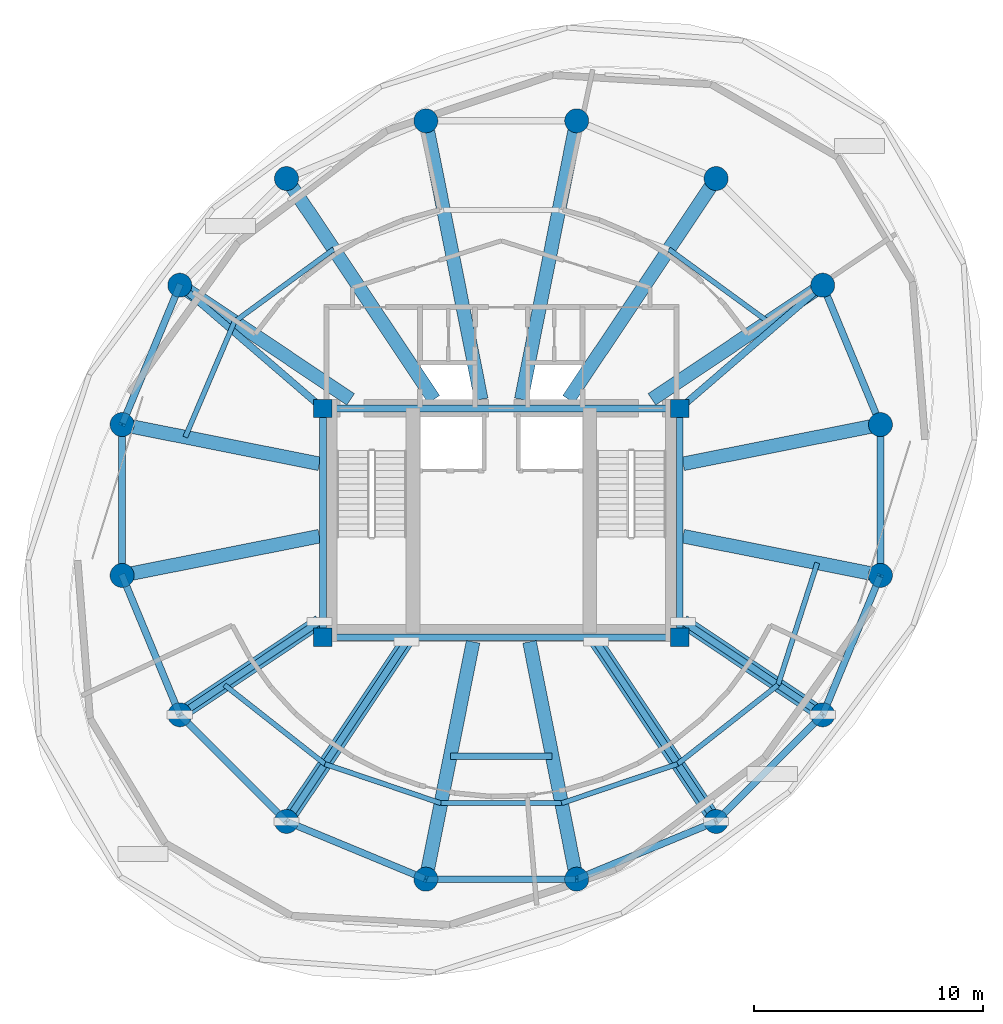
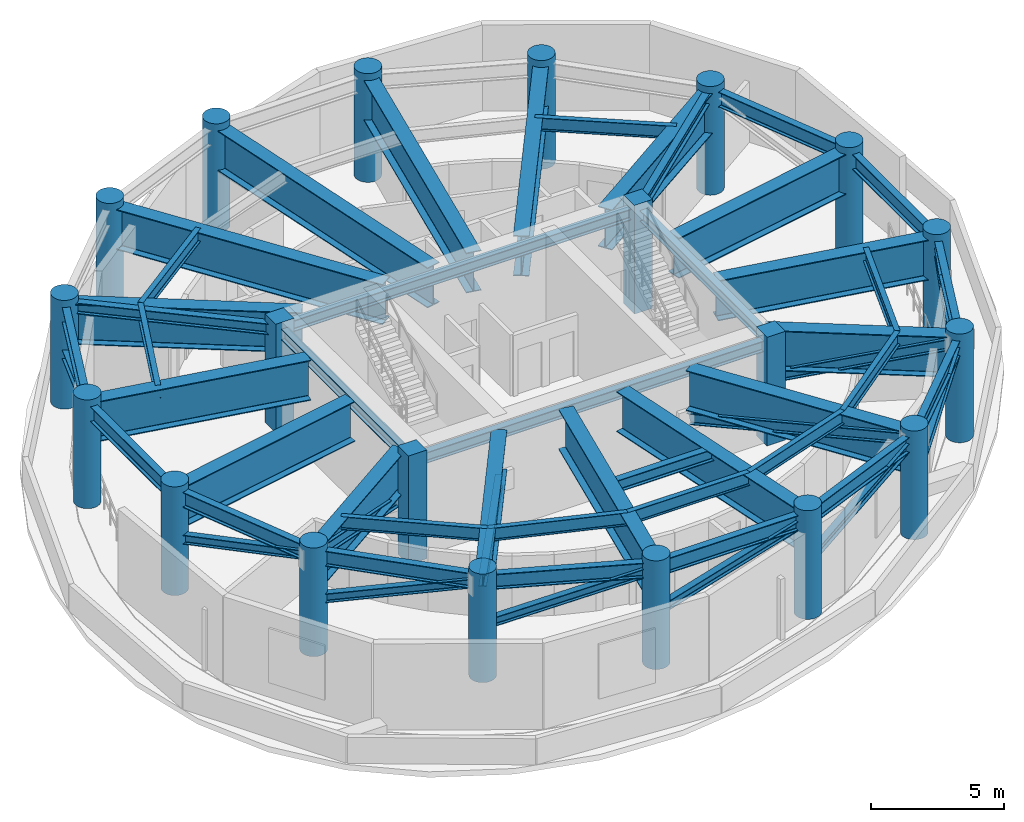
# One storey, part 1 of 6: 43 beams, 20 columns, 12 members.
"""IFC4 building model written with IfcOpenShell, lengths in metres."""

from ifc_helpers import new_model, si_unit, direction, frame, origin, origin_2d, place, context, subcontext, project, spatial, rectangle, circle, i_section, extrude, material, material_profile, profile_set, type_object, element, save


model = new_model("IFC4")

# Units and contexts
model_context = context("Model", 3, precision=1e-05, world=origin(), true_north=direction((0.0, 1.0)))
body_context = subcontext(model_context, "Body", "Model", "MODEL_VIEW")
ifc_project = project(units=[si_unit("LENGTHUNIT", "METRE"), si_unit("AREAUNIT", "SQUARE_METRE"), si_unit("VOLUMEUNIT", "CUBIC_METRE"), si_unit("PLANEANGLEUNIT", "RADIAN"), si_unit("MASSUNIT", "GRAM", prefix="KILO"), si_unit("THERMODYNAMICTEMPERATUREUNIT", "KELVIN"), si_unit("POWERUNIT", "WATT")], contexts=[model_context])

# Site, building, storey
site_placement = place(None, origin())
site = spatial("IfcSite", under=ifc_project, at=site_placement, CompositionType="ELEMENT")
building_placement = place(site_placement, origin())
building = spatial("IfcBuilding", under=site, at=building_placement, Name="Ocrelia Relay Tower", CompositionType="ELEMENT")
storey_placement = place(building_placement, frame((0.0, 0.0, 220.39990234375)))
storey = spatial("IfcBuildingStorey", under=building, at=storey_placement, Name="L54", CompositionType="ELEMENT", Elevation=220.39990234375)

# Columns
ifc_material_1 = material(Name="Concrete C60/75", Category="concrete")
ifc_material_profile_1 = material_profile(ifc_material_1, circle(Radius=0.52490234375, at=origin_2d()), Name="RC-CIR-1050")
ifc_profile_set_1 = profile_set([ifc_material_profile_1], Name="Concrete C60/75")
column_type_1 = type_object("IfcColumnType", Name="COL-CT-1050", PredefinedType="COLUMN", material=ifc_profile_set_1)
for number, where, z_axis, x_axis, name in (
    (1, (50.5751953125, 29.297119140625, 0.0), (0.0, 0.0, 1.0), (1.0, 0.0, 0.0), "L54 Perimeter Ring Column C01"),
    (2, (48.0517578125, 35.38916015625, 0.0), (0.0, 0.0, 1.0), (1.0, 0.0, 0.0), "L54 Perimeter Ring Column C02"),
    (3, (43.38916015625, 40.0517578125, 0.0), (0.0, 0.0, 1.0), (1.0, 0.0, 0.0), "L54 Perimeter Ring Column C03"),
    (4, (37.297119140625, 42.5751953125, 0.0), (0.0, 0.0, 1.0), (1.0, 0.0, 0.0), "L54 Perimeter Ring Column C04"),
    (5, (30.702880859375, 42.5751953125, 0.0), (0.0, 0.0, 1.0), (1.0, 0.0, 0.0), "L54 Perimeter Ring Column C05"),
    (6, (24.61083984375, 40.0517578125, 0.0), (0.0, 0.0, 1.0), (1.0, 0.0, 0.0), "L54 Perimeter Ring Column C06"),
    (7, (19.9482421875, 35.38916015625, 0.0), (0.0, 0.0, 1.0), (1.0, 0.0, 0.0), "L54 Perimeter Ring Column C07"),
    (8, (17.4248046875, 29.297119140625, 0.0), (0.0, 0.0, 1.0), (1.0, 0.0, 0.0), "L54 Perimeter Ring Column C08"),
    (9, (17.4248046875, 22.702880859375, 0.0), (0.0, 0.0, 1.0), (1.0, 0.0, 0.0), "L54 Perimeter Ring Column C09"),
    (10, (19.9482421875, 16.61083984375, 0.0), (0.0, 0.0, 1.0), (1.0, 0.0, 0.0), "L54 Perimeter Ring Column C10"),
    (11, (24.61083984375, 11.9482421875, 0.0), (0.0, 0.0, 1.0), (1.0, 0.0, 0.0), "L54 Perimeter Ring Column C11"),
    (12, (30.702880859375, 9.4248046875, 0.0), (0.0, 0.0, 1.0), (1.0, 0.0, 0.0), "L54 Perimeter Ring Column C12"),
    (13, (37.297119140625, 9.4248046875, 0.0), (0.0, 0.0, 1.0), (1.0, 0.0, 0.0), "L54 Perimeter Ring Column C13"),
    (14, (43.38916015625, 11.9482421875, 0.0), (0.0, 0.0, 1.0), (1.0, 0.0, 0.0), "L54 Perimeter Ring Column C14"),
    (15, (48.0517578125, 16.61083984375, 0.0), (0.0, 0.0, 1.0), (1.0, 0.0, 0.0), "L54 Perimeter Ring Column C15"),
    (16, (50.5751953125, 22.702880859375, 0.0), (0.0, 0.0, 1.0), (1.0, 0.0, 0.0), "L54 Perimeter Ring Column C16"),
):
    element("IfcColumn", number, at=place(storey_placement, frame(where, z_axis=z_axis, x_axis=x_axis)), inside=storey, type_object=column_type_1, Name=name, PredefinedType="COLUMN", context=body_context, shape_type="SweptSolid", body=[
        extrude(circle(Radius=0.52490234375, at=origin_2d()), origin(), (0.0, 0.0, 1.0), 5.0),
    ])
ifc_material_profile_2 = material_profile(ifc_material_1, rectangle(XDim=0.800048828125, YDim=0.800048828125, at=origin_2d()), Name="RC-COL-800x800")
ifc_profile_set_2 = profile_set([ifc_material_profile_2], Name="Concrete C60/75")
column_type_2 = type_object("IfcColumnType", Name="COL-PILASTER-800", PredefinedType="PILASTER", material=ifc_profile_set_2)
for number, where, z_axis, x_axis, name in (
    (17, (26.199951171875, 20.0, 0.0), (0.0, 0.0, 1.0), (1.0, 0.0, 0.0), "L54 Core Corner Pilaster SW"),
    (18, (41.800048828125, 20.0, 0.0), (0.0, 0.0, 1.0), (1.0, 0.0, 0.0), "L54 Core Corner Pilaster SE"),
    (19, (26.199951171875, 30.0, 0.0), (0.0, 0.0, 1.0), (1.0, 0.0, 0.0), "L54 Core Corner Pilaster NW"),
    (20, (41.800048828125, 30.0, 0.0), (0.0, 0.0, 1.0), (1.0, 0.0, 0.0), "L54 Core Corner Pilaster NE"),
):
    element("IfcColumn", number, at=place(storey_placement, frame(where, z_axis=z_axis, x_axis=x_axis)), inside=storey, type_object=column_type_2, Name=name, PredefinedType="PILASTER", context=body_context, shape_type="SweptSolid", body=[
        extrude(rectangle(XDim=0.800048828125, YDim=0.800048828125, at=origin_2d()), origin(), (0.0, 0.0, 1.0), 5.0),
    ])

# Beams
ifc_material_2 = material(Name="Steel S355", Category="steel")
ifc_material_profile_3 = material_profile(ifc_material_2, i_section(OverallWidth=0.300048828125, OverallDepth=0.5, WebThickness=0.014404296875, FlangeThickness=0.028076171875, FilletRadius=0.027099609375, at=origin_2d()), Name="HEB 500")
ifc_profile_set_3 = profile_set([ifc_material_profile_3], Name="Steel S355")
beam_type_1 = type_object("IfcBeamType", Name="BM-HEB500", PredefinedType="BEAM", material=ifc_profile_set_3)
for number, where, z_axis, x_axis, name in (
    (21, (26.199951171875, 20.0, 4.43017578125), (1.0, 0.0, 0.0), (0.0, 1.0, 0.0), "L54 Core Pilaster Tie Beam S"),
    (22, (26.199951171875, 30.0, 4.43017578125), (1.0, 0.0, 0.0), (0.0, 1.0, 0.0), "L54 Core Pilaster Tie Beam N"),
):
    element("IfcBeam", number, at=place(storey_placement, frame(where, z_axis=z_axis, x_axis=x_axis)), inside=storey, type_object=beam_type_1, Name=name, PredefinedType="BEAM", context=body_context, shape_type="SweptSolid", body=[
        extrude(i_section(OverallWidth=0.300048828125, OverallDepth=0.5, WebThickness=0.014404296875, FlangeThickness=0.028076171875, FilletRadius=0.027099609375, at=origin_2d()), origin(), (0.0, 0.0, 1.0), 15.60009765625),
    ])
for number, where, z_axis, x_axis, name in (
    (23, (26.199951171875, 20.0, 4.43017578125), (0.0, 1.0, 0.0), (-1.0, 0.0, 0.0), "L54 Core Pilaster Tie Beam W"),
    (24, (41.800048828125, 20.0, 4.43017578125), (0.0, 1.0, 0.0), (-1.0, 0.0, 0.0), "L54 Core Pilaster Tie Beam E"),
):
    element("IfcBeam", number, at=place(storey_placement, frame(where, z_axis=z_axis, x_axis=x_axis)), inside=storey, type_object=beam_type_1, Name=name, PredefinedType="BEAM", context=body_context, shape_type="SweptSolid", body=[
        extrude(i_section(OverallWidth=0.300048828125, OverallDepth=0.5, WebThickness=0.014404296875, FlangeThickness=0.028076171875, FilletRadius=0.027099609375, at=origin_2d()), origin(), (0.0, 0.0, 1.0), 10.0),
    ])
for number, where, z_axis, x_axis, name in (
    (25, (48.0517578125, 35.38916015625, 4.43017578125), (-0.757424589403, -0.652922653434, 0.0), (0.652922653434, -0.757424589403, 0.0), "L54 Core Pilaster Frame Tie Beam PT02"),
    (26, (19.9482421875, 35.38916015625, 4.43017578125), (0.757424589403, -0.652922653434, 0.0), (0.652922653434, 0.757424589403, 0.0), "L54 Core Pilaster Frame Tie Beam PT07"),
):
    element("IfcBeam", number, at=place(storey_placement, frame(where, z_axis=z_axis, x_axis=x_axis)), inside=storey, type_object=beam_type_1, Name=name, PredefinedType="BEAM", context=body_context, shape_type="SweptSolid", body=[
        extrude(i_section(OverallWidth=0.300048828125, OverallDepth=0.5, WebThickness=0.014404296875, FlangeThickness=0.028076171875, FilletRadius=0.027099609375, at=origin_2d()), origin(), (0.0, 0.0, 1.0), 8.25390625),
    ])
ifc_material_profile_4 = material_profile(ifc_material_2, i_section(OverallWidth=0.300048828125, OverallDepth=0.550048828125, WebThickness=0.014892578125, FlangeThickness=0.029052734375, FilletRadius=0.027099609375, at=origin_2d()), Name="HEB 550")
ifc_profile_set_4 = profile_set([ifc_material_profile_4], Name="Steel S355")
beam_type_2 = type_object("IfcBeamType", Name="BM-HEB550", PredefinedType="BEAM", material=ifc_profile_set_4)
beam_1_placement = place(storey_placement, frame((31.772216796875, 14.800048828125, 4.405029296875), z_axis=(1.0, 0.0, 0.0), x_axis=(0.0, 1.0, 0.0)))
element("IfcBeam", 27, at=beam_1_placement, inside=storey, type_object=beam_type_2, Name="L54 Atrium South Trimmer Beam", PredefinedType="BEAM", context=body_context, shape_type="SweptSolid", body=[
    extrude(i_section(OverallWidth=0.300048828125, OverallDepth=0.550048828125, WebThickness=0.014892578125, FlangeThickness=0.029052734375, FilletRadius=0.027099609375, at=origin_2d()), origin(), (0.0, 0.0, 1.0), 4.45556640625),
])
ifc_material_profile_5 = material_profile(ifc_material_2, i_section(OverallWidth=0.300048828125, OverallDepth=0.699951171875, WebThickness=0.01708984375, FlangeThickness=0.031982421875, FilletRadius=0.027099609375, at=origin_2d()), Name="HEB 700")
ifc_profile_set_5 = profile_set([ifc_material_profile_5], Name="Steel S355")
beam_type_3 = type_object("IfcBeamType", Name="BM-HEB700", PredefinedType="BEAM", material=ifc_profile_set_5)
for number, where, z_axis, x_axis, name in (
    (28, (50.5751953125, 29.297119140625, 4.330078125), (-0.382687508402, 0.923877844151, 0.0), (-0.923877844151, -0.382687508402, 0.0), "L54 Perimeter Spandrel Beam S01"),
    (29, (19.9482421875, 35.38916015625, 4.330078125), (-0.382687508402, -0.923877844151, 0.0), (0.923877844151, -0.382687508402, 0.0), "L54 Perimeter Spandrel Beam S07"),
):
    element("IfcBeam", number, at=place(storey_placement, frame(where, z_axis=z_axis, x_axis=x_axis)), inside=storey, type_object=beam_type_3, Name=name, PredefinedType="BEAM", context=body_context, shape_type="SweptSolid", body=[
        extrude(i_section(OverallWidth=0.300048828125, OverallDepth=0.699951171875, WebThickness=0.01708984375, FlangeThickness=0.031982421875, FilletRadius=0.027099609375, at=origin_2d()), origin(), (0.0, 0.0, 1.0), 6.593994140625),
    ])
beam_2_placement = place(storey_placement, frame((17.4248046875, 29.297119140625, 4.330078125), z_axis=(0.0, -1.0, 0.0), x_axis=(1.0, 0.0, 0.0)))
element("IfcBeam", 30, at=beam_2_placement, inside=storey, type_object=beam_type_3, Name="L54 Perimeter Spandrel Beam S08", PredefinedType="BEAM", context=body_context, shape_type="SweptSolid", body=[
    extrude(i_section(OverallWidth=0.300048828125, OverallDepth=0.699951171875, WebThickness=0.01708984375, FlangeThickness=0.031982421875, FilletRadius=0.027099609375, at=origin_2d()), origin(), (0.0, 0.0, 1.0), 6.59423828125),
])
for number, where, z_axis, x_axis, name in (
    (31, (17.4248046875, 22.702880859375, 4.330078125), (0.382687508402, -0.923877844151, 0.0), (0.923877844151, 0.382687508402, 0.0), "L54 Perimeter Spandrel Beam S09"),
    (32, (19.9482421875, 16.61083984375, 4.330078125), (0.707106781187, -0.707106781187, 0.0), (0.707106781187, 0.707106781187, 0.0), "L54 Perimeter Spandrel Beam S10"),
    (33, (24.61083984375, 11.9482421875, 4.330078125), (0.923877844151, -0.382687508402, 0.0), (0.382687508402, 0.923877844151, 0.0), "L54 Perimeter Spandrel Beam S11"),
):
    element("IfcBeam", number, at=place(storey_placement, frame(where, z_axis=z_axis, x_axis=x_axis)), inside=storey, type_object=beam_type_3, Name=name, PredefinedType="BEAM", context=body_context, shape_type="SweptSolid", body=[
        extrude(i_section(OverallWidth=0.300048828125, OverallDepth=0.699951171875, WebThickness=0.01708984375, FlangeThickness=0.031982421875, FilletRadius=0.027099609375, at=origin_2d()), origin(), (0.0, 0.0, 1.0), 6.593994140625),
    ])
beam_3_placement = place(storey_placement, frame((30.702880859375, 9.4248046875, 4.330078125), z_axis=(1.0, 0.0, 0.0), x_axis=(0.0, 1.0, 0.0)))
element("IfcBeam", 34, at=beam_3_placement, inside=storey, type_object=beam_type_3, Name="L54 Perimeter Spandrel Beam S12", PredefinedType="BEAM", context=body_context, shape_type="SweptSolid", body=[
    extrude(i_section(OverallWidth=0.300048828125, OverallDepth=0.699951171875, WebThickness=0.01708984375, FlangeThickness=0.031982421875, FilletRadius=0.027099609375, at=origin_2d()), origin(), (0.0, 0.0, 1.0), 6.59423828125),
])
for number, where, z_axis, x_axis, name in (
    (35, (37.297119140625, 9.4248046875, 4.330078125), (0.923877844151, 0.382687508402, 0.0), (-0.382687508402, 0.923877844151, 0.0), "L54 Perimeter Spandrel Beam S13"),
    (36, (43.38916015625, 11.9482421875, 4.330078125), (0.707106781187, 0.707106781187, 0.0), (-0.707106781187, 0.707106781187, 0.0), "L54 Perimeter Spandrel Beam S14"),
    (37, (48.0517578125, 16.61083984375, 4.330078125), (0.382687508402, 0.923877844151, 0.0), (-0.923877844151, 0.382687508402, 0.0), "L54 Perimeter Spandrel Beam S15"),
):
    element("IfcBeam", number, at=place(storey_placement, frame(where, z_axis=z_axis, x_axis=x_axis)), inside=storey, type_object=beam_type_3, Name=name, PredefinedType="BEAM", context=body_context, shape_type="SweptSolid", body=[
        extrude(i_section(OverallWidth=0.300048828125, OverallDepth=0.699951171875, WebThickness=0.01708984375, FlangeThickness=0.031982421875, FilletRadius=0.027099609375, at=origin_2d()), origin(), (0.0, 0.0, 1.0), 6.593994140625),
    ])
beam_4_placement = place(storey_placement, frame((50.5751953125, 22.702880859375, 4.330078125), z_axis=(0.0, 1.0, 0.0), x_axis=(-1.0, 0.0, 0.0)))
element("IfcBeam", 38, at=beam_4_placement, inside=storey, type_object=beam_type_3, Name="L54 Perimeter Spandrel Beam S16", PredefinedType="BEAM", context=body_context, shape_type="SweptSolid", body=[
    extrude(i_section(OverallWidth=0.300048828125, OverallDepth=0.699951171875, WebThickness=0.01708984375, FlangeThickness=0.031982421875, FilletRadius=0.027099609375, at=origin_2d()), origin(), (0.0, 0.0, 1.0), 6.59423828125),
])
ifc_material_profile_6 = material_profile(ifc_material_2, i_section(OverallWidth=0.219970703125, OverallDepth=0.60009765625, WebThickness=0.011962890625, FlangeThickness=0.01904296875, FilletRadius=0.02392578125, at=origin_2d()), Name="IPE 600")
ifc_profile_set_6 = profile_set([ifc_material_profile_6], Name="Steel S355")
beam_type_4 = type_object("IfcBeamType", Name="BM-IPE600", PredefinedType="JOIST", material=ifc_profile_set_6)
for number, where, z_axis, x_axis, name in (
    (39, (45.66259765625, 33.79248046875, 4.380126953125), (-0.807285369017, 0.590161277085, 0.0), (-0.590161277085, -0.807285369017, 0.0), "L54 Secondary Floor Joist J02"),
    (40, (26.674560546875, 36.963134765625, 4.380126953125), (-0.807285369017, -0.590161277085, 0.0), (0.590161277085, -0.807285369017, 0.0), "L54 Secondary Floor Joist J06"),
):
    element("IfcBeam", number, at=place(storey_placement, frame(where, z_axis=z_axis, x_axis=x_axis)), inside=storey, type_object=beam_type_4, Name=name, PredefinedType="JOIST", context=body_context, shape_type="SweptSolid", body=[
        extrude(i_section(OverallWidth=0.219970703125, OverallDepth=0.60009765625, WebThickness=0.011962890625, FlangeThickness=0.01904296875, FilletRadius=0.02392578125, at=origin_2d()), origin(), (0.0, 0.0, 1.0), 5.37255859375),
    ])
beam_5_placement = place(storey_placement, frame((22.33740234375, 33.79248046875, 4.380126953125), z_axis=(-0.392484377372, -0.919758671347, 0.0), x_axis=(0.919758671347, -0.392484377372, 0.0)))
element("IfcBeam", 41, at=beam_5_placement, inside=storey, type_object=beam_type_4, Name="L54 Secondary Floor Joist J07", PredefinedType="JOIST", context=body_context, shape_type="SweptSolid", body=[
    extrude(i_section(OverallWidth=0.219970703125, OverallDepth=0.60009765625, WebThickness=0.011962890625, FlangeThickness=0.01904296875, FilletRadius=0.02392578125, at=origin_2d()), origin(), (0.0, 0.0, 1.0), 5.484619140625),
])
beam_6_placement = place(storey_placement, frame((21.90087890625, 17.91552734375, 4.380126953125), z_axis=(0.785761381551, -0.618529749699, 0.0), x_axis=(0.618529749699, 0.785761381551, 0.0)))
element("IfcBeam", 42, at=beam_6_placement, inside=storey, type_object=beam_type_4, Name="L54 Secondary Floor Joist J10", PredefinedType="JOIST", context=body_context, shape_type="SweptSolid", body=[
    extrude(i_section(OverallWidth=0.219970703125, OverallDepth=0.60009765625, WebThickness=0.011962890625, FlangeThickness=0.01904296875, FilletRadius=0.02392578125, at=origin_2d()), origin(), (0.0, 0.0, 1.0), 5.58544921875),
])
beam_7_placement = place(storey_placement, frame((26.289794921875, 14.460693359375, 4.380126953125), z_axis=(0.947293036165, -0.320368387381, 0.0), x_axis=(0.320368387381, 0.947293036165, 0.0)))
element("IfcBeam", 43, at=beam_7_placement, inside=storey, type_object=beam_type_4, Name="L54 Secondary Floor Joist J11", PredefinedType="JOIST", context=body_context, shape_type="SweptSolid", body=[
    extrude(i_section(OverallWidth=0.219970703125, OverallDepth=0.60009765625, WebThickness=0.011962890625, FlangeThickness=0.01904296875, FilletRadius=0.02392578125, at=origin_2d()), origin(), (0.0, 0.0, 1.0), 5.355712890625),
])
beam_8_placement = place(storey_placement, frame((31.36328125, 12.744873046875, 4.380126953125), z_axis=(1.0, 0.0, 0.0), x_axis=(0.0, 1.0, 0.0)))
element("IfcBeam", 44, at=beam_8_placement, inside=storey, type_object=beam_type_4, Name="L54 Secondary Floor Joist J12", PredefinedType="JOIST", context=body_context, shape_type="SweptSolid", body=[
    extrude(i_section(OverallWidth=0.219970703125, OverallDepth=0.60009765625, WebThickness=0.011962890625, FlangeThickness=0.01904296875, FilletRadius=0.02392578125, at=origin_2d()), origin(), (0.0, 0.0, 1.0), 5.2734375),
])
beam_9_placement = place(storey_placement, frame((36.63671875, 12.744873046875, 4.380126953125), z_axis=(0.947293036165, 0.320368387381, 0.0), x_axis=(-0.320368387381, 0.947293036165, 0.0)))
element("IfcBeam", 45, at=beam_9_placement, inside=storey, type_object=beam_type_4, Name="L54 Secondary Floor Joist J13", PredefinedType="JOIST", context=body_context, shape_type="SweptSolid", body=[
    extrude(i_section(OverallWidth=0.219970703125, OverallDepth=0.60009765625, WebThickness=0.011962890625, FlangeThickness=0.01904296875, FilletRadius=0.02392578125, at=origin_2d()), origin(), (0.0, 0.0, 1.0), 5.355712890625),
])
beam_10_placement = place(storey_placement, frame((41.710205078125, 14.460693359375, 4.380126953125), z_axis=(0.785761381551, 0.618529749699, 0.0), x_axis=(-0.618529749699, 0.785761381551, 0.0)))
element("IfcBeam", 46, at=beam_10_placement, inside=storey, type_object=beam_type_4, Name="L54 Secondary Floor Joist J14", PredefinedType="JOIST", context=body_context, shape_type="SweptSolid", body=[
    extrude(i_section(OverallWidth=0.219970703125, OverallDepth=0.60009765625, WebThickness=0.011962890625, FlangeThickness=0.01904296875, FilletRadius=0.02392578125, at=origin_2d()), origin(), (0.0, 0.0, 1.0), 5.58544921875),
])
beam_11_placement = place(storey_placement, frame((46.09912109375, 17.91552734375, 4.380126953125), z_axis=(0.306136061263, 0.951987768826, 0.0), x_axis=(-0.951987768826, 0.306136061263, 0.0)))
element("IfcBeam", 47, at=beam_11_placement, inside=storey, type_object=beam_type_4, Name="L54 Secondary Floor Joist J15", PredefinedType="JOIST", context=body_context, shape_type="SweptSolid", body=[
    extrude(i_section(OverallWidth=0.219970703125, OverallDepth=0.60009765625, WebThickness=0.011962890625, FlangeThickness=0.01904296875, FilletRadius=0.02392578125, at=origin_2d()), origin(), (0.0, 0.0, 1.0), 5.60546875),
])
ifc_material_profile_7 = material_profile(ifc_material_2, i_section(OverallWidth=0.60009765625, OverallDepth=1.85009765625, WebThickness=0.028076171875, FlangeThickness=0.0400390625, FilletRadius=0.02001953125, at=origin_2d()), Name="WPG 1850x600")
ifc_profile_set_7 = profile_set([ifc_material_profile_7], Name="Steel S355")
beam_type_5 = type_object("IfcBeamType", Name="BM-WPG1650", PredefinedType="T_BEAM", material=ifc_profile_set_7)
beam_12_placement = place(storey_placement, frame((50.5751953125, 29.297119140625, 3.755126953125), z_axis=(-0.980781960461, -0.19510701175, 0.0), x_axis=(0.19510701175, -0.980781960461, 0.0)))
element("IfcBeam", 48, at=beam_12_placement, inside=storey, type_object=beam_type_5, Name="L54 Radial Transfer Girder R01", PredefinedType="T_BEAM", context=body_context, shape_type="SweptSolid", body=[
    extrude(i_section(OverallWidth=0.60009765625, OverallDepth=1.85009765625, WebThickness=0.028076171875, FlangeThickness=0.0400390625, FilletRadius=0.02001953125, at=origin_2d()), origin(), (0.0, 0.0, 1.0), 8.794189453125),
])
beam_13_placement = place(storey_placement, frame((48.0517578125, 35.38916015625, 3.755126953125), z_axis=(-0.831455888957, -0.555590770909, 0.0), x_axis=(0.555590770909, -0.831455888957, 0.0)))
element("IfcBeam", 49, at=beam_13_placement, inside=storey, type_object=beam_type_5, Name="L54 Radial Transfer Girder R02", PredefinedType="T_BEAM", context=body_context, shape_type="SweptSolid", body=[
    extrude(i_section(OverallWidth=0.60009765625, OverallDepth=1.85009765625, WebThickness=0.028076171875, FlangeThickness=0.0400390625, FilletRadius=0.02001953125, at=origin_2d()), origin(), (0.0, 0.0, 1.0), 8.97998046875),
])
beam_14_placement = place(storey_placement, frame((43.38916015625, 40.0517578125, 3.755126953125), z_axis=(-0.555573515129, -0.831467419258, 0.0), x_axis=(0.831467419258, -0.555573515129, 0.0)))
element("IfcBeam", 50, at=beam_14_placement, inside=storey, type_object=beam_type_5, Name="L54 Radial Transfer Girder R03", PredefinedType="T_BEAM", context=body_context, shape_type="SweptSolid", body=[
    extrude(i_section(OverallWidth=0.60009765625, OverallDepth=1.85009765625, WebThickness=0.028076171875, FlangeThickness=0.0400390625, FilletRadius=0.02001953125, at=origin_2d()), origin(), (0.0, 0.0, 1.0), 11.608154296875),
])
for number, where, z_axis, x_axis, name in (
    (51, (37.297119140625, 42.5751953125, 3.755126953125), (-0.195094866923, -0.980784376354, 0.0), (0.980784376354, -0.195094866923, 0.0), "L54 Radial Transfer Girder R04"),
    (52, (30.702880859375, 42.5751953125, 3.755126953125), (0.195094866923, -0.980784376354, 0.0), (0.980784376354, 0.195094866923, 0.0), "L54 Radial Transfer Girder R05"),
):
    element("IfcBeam", number, at=place(storey_placement, frame(where, z_axis=z_axis, x_axis=x_axis)), inside=storey, type_object=beam_type_5, Name=name, PredefinedType="T_BEAM", context=body_context, shape_type="SweptSolid", body=[
        extrude(i_section(OverallWidth=0.60009765625, OverallDepth=1.85009765625, WebThickness=0.028076171875, FlangeThickness=0.0400390625, FilletRadius=0.02001953125, at=origin_2d()), origin(), (0.0, 0.0, 1.0), 12.413818359375),
    ])
beam_15_placement = place(storey_placement, frame((24.61083984375, 40.0517578125, 3.755126953125), z_axis=(0.555573515129, -0.831467419258, 0.0), x_axis=(0.831467419258, 0.555573515129, 0.0)))
element("IfcBeam", 53, at=beam_15_placement, inside=storey, type_object=beam_type_5, Name="L54 Radial Transfer Girder R06", PredefinedType="T_BEAM", context=body_context, shape_type="SweptSolid", body=[
    extrude(i_section(OverallWidth=0.60009765625, OverallDepth=1.85009765625, WebThickness=0.028076171875, FlangeThickness=0.0400390625, FilletRadius=0.02001953125, at=origin_2d()), origin(), (0.0, 0.0, 1.0), 11.608154296875),
])
beam_16_placement = place(storey_placement, frame((19.9482421875, 35.38916015625, 3.755126953125), z_axis=(0.831455888957, -0.555590770909, 0.0), x_axis=(0.555590770909, 0.831455888957, 0.0)))
element("IfcBeam", 54, at=beam_16_placement, inside=storey, type_object=beam_type_5, Name="L54 Radial Transfer Girder R07", PredefinedType="T_BEAM", context=body_context, shape_type="SweptSolid", body=[
    extrude(i_section(OverallWidth=0.60009765625, OverallDepth=1.85009765625, WebThickness=0.028076171875, FlangeThickness=0.0400390625, FilletRadius=0.02001953125, at=origin_2d()), origin(), (0.0, 0.0, 1.0), 8.97998046875),
])
for number, where, z_axis, x_axis, name in (
    (55, (17.4248046875, 29.297119140625, 3.755126953125), (0.980781960461, -0.19510701175, 0.0), (0.19510701175, 0.980781960461, 0.0), "L54 Radial Transfer Girder R08"),
    (56, (17.4248046875, 22.702880859375, 3.755126953125), (0.980781960461, 0.19510701175, 0.0), (-0.19510701175, 0.980781960461, 0.0), "L54 Radial Transfer Girder R09"),
):
    element("IfcBeam", number, at=place(storey_placement, frame(where, z_axis=z_axis, x_axis=x_axis)), inside=storey, type_object=beam_type_5, Name=name, PredefinedType="T_BEAM", context=body_context, shape_type="SweptSolid", body=[
        extrude(i_section(OverallWidth=0.60009765625, OverallDepth=1.85009765625, WebThickness=0.028076171875, FlangeThickness=0.0400390625, FilletRadius=0.02001953125, at=origin_2d()), origin(), (0.0, 0.0, 1.0), 8.794189453125),
    ])
beam_17_placement = place(storey_placement, frame((19.9482421875, 16.61083984375, 3.755126953125), z_axis=(0.831466365034, 0.555575092869, 0.0), x_axis=(-0.555575092869, 0.831466365034, 0.0)))
element("IfcBeam", 57, at=beam_17_placement, inside=storey, type_object=beam_type_5, Name="L54 Radial Transfer Girder R10", PredefinedType="T_BEAM", context=body_context, shape_type="SweptSolid", body=[
    extrude(i_section(OverallWidth=0.60009765625, OverallDepth=1.85009765625, WebThickness=0.028076171875, FlangeThickness=0.0400390625, FilletRadius=0.02001953125, at=origin_2d()), origin(), (0.0, 0.0, 1.0), 7.338623046875),
])
beam_18_placement = place(storey_placement, frame((24.61083984375, 11.9482421875, 3.755126953125), z_axis=(0.555582866279, 0.831461170889, 0.0), x_axis=(-0.831461170889, 0.555582866279, 0.0)))
element("IfcBeam", 58, at=beam_18_placement, inside=storey, type_object=beam_type_5, Name="L54 Radial Transfer Girder R11", PredefinedType="T_BEAM", context=body_context, shape_type="SweptSolid", body=[
    extrude(i_section(OverallWidth=0.60009765625, OverallDepth=1.85009765625, WebThickness=0.028076171875, FlangeThickness=0.0400390625, FilletRadius=0.02001953125, at=origin_2d()), origin(), (0.0, 0.0, 1.0), 9.443359375),
])
for number, where, z_axis, x_axis, name in (
    (59, (30.702880859375, 9.4248046875, 3.755126953125), (0.1951085513, 0.980781654197, 0.0), (-0.980781654197, 0.1951085513, 0.0), "L54 Radial Transfer Girder R12"),
    (60, (37.297119140625, 9.4248046875, 3.755126953125), (-0.1951085513, 0.980781654197, 0.0), (-0.980781654197, -0.1951085513, 0.0), "L54 Radial Transfer Girder R13"),
):
    element("IfcBeam", number, at=place(storey_placement, frame(where, z_axis=z_axis, x_axis=x_axis)), inside=storey, type_object=beam_type_5, Name=name, PredefinedType="T_BEAM", context=body_context, shape_type="SweptSolid", body=[
        extrude(i_section(OverallWidth=0.60009765625, OverallDepth=1.85009765625, WebThickness=0.028076171875, FlangeThickness=0.0400390625, FilletRadius=0.02001953125, at=origin_2d()), origin(), (0.0, 0.0, 1.0), 10.57861328125),
    ])
beam_19_placement = place(storey_placement, frame((43.38916015625, 11.9482421875, 3.755126953125), z_axis=(-0.555582866279, 0.831461170889, 0.0), x_axis=(-0.831461170889, -0.555582866279, 0.0)))
element("IfcBeam", 61, at=beam_19_placement, inside=storey, type_object=beam_type_5, Name="L54 Radial Transfer Girder R14", PredefinedType="T_BEAM", context=body_context, shape_type="SweptSolid", body=[
    extrude(i_section(OverallWidth=0.60009765625, OverallDepth=1.85009765625, WebThickness=0.028076171875, FlangeThickness=0.0400390625, FilletRadius=0.02001953125, at=origin_2d()), origin(), (0.0, 0.0, 1.0), 9.443359375),
])
beam_20_placement = place(storey_placement, frame((48.0517578125, 16.61083984375, 3.755126953125), z_axis=(-0.831466365034, 0.555575092869, 0.0), x_axis=(-0.555575092869, -0.831466365034, 0.0)))
element("IfcBeam", 62, at=beam_20_placement, inside=storey, type_object=beam_type_5, Name="L54 Radial Transfer Girder R15", PredefinedType="T_BEAM", context=body_context, shape_type="SweptSolid", body=[
    extrude(i_section(OverallWidth=0.60009765625, OverallDepth=1.85009765625, WebThickness=0.028076171875, FlangeThickness=0.0400390625, FilletRadius=0.02001953125, at=origin_2d()), origin(), (0.0, 0.0, 1.0), 7.338623046875),
])
beam_21_placement = place(storey_placement, frame((50.5751953125, 22.702880859375, 3.755126953125), z_axis=(-0.980781960461, 0.19510701175, 0.0), x_axis=(-0.19510701175, -0.980781960461, 0.0)))
element("IfcBeam", 63, at=beam_21_placement, inside=storey, type_object=beam_type_5, Name="L54 Radial Transfer Girder R16", PredefinedType="T_BEAM", context=body_context, shape_type="SweptSolid", body=[
    extrude(i_section(OverallWidth=0.60009765625, OverallDepth=1.85009765625, WebThickness=0.028076171875, FlangeThickness=0.0400390625, FilletRadius=0.02001953125, at=origin_2d()), origin(), (0.0, 0.0, 1.0), 8.794189453125),
])

# Members
ifc_material_profile_8 = material_profile(ifc_material_2, i_section(OverallWidth=0.300048828125, OverallDepth=0.39990234375, WebThickness=0.013427734375, FlangeThickness=0.02392578125, FilletRadius=0.027099609375, at=origin_2d()), Name="HEB 400")
ifc_profile_set_8 = profile_set([ifc_material_profile_8], Name="Steel S355")
member_type_1 = type_object("IfcMemberType", Name="MB-BELT-DIAG", PredefinedType="BRACE", material=ifc_profile_set_8)
for number, where, z_axis, x_axis, name in (
    (64, (19.9482421875, 35.38916015625, 2.35009765625), (-0.366520857881, -0.88484858424, 0.287585541546), (0.923877844151, -0.382687508402, 0.0), "L54 Perimeter Belt Truss Diagonal B07"),
    (65, (17.4248046875, 22.702880859375, 2.35009765625), (0.366520857881, -0.88484858424, 0.287585541546), (0.923877844151, 0.382687508402, 0.0), "L54 Perimeter Belt Truss Diagonal B09"),
    (66, (19.9482421875, 16.61083984375, 2.35009765625), (0.67723433721, -0.67723433721, 0.287588777609), (0.707106781187, 0.707106781187, 0.0), "L54 Perimeter Belt Truss Diagonal B10"),
    (67, (24.61083984375, 11.9482421875, 2.35009765625), (0.88484858424, -0.366520857881, 0.287585541546), (0.382687508402, 0.923877844151, 0.0), "L54 Perimeter Belt Truss Diagonal B11"),
):
    element("IfcMember", number, at=place(storey_placement, frame(where, z_axis=z_axis, x_axis=x_axis)), inside=storey, type_object=member_type_1, Name=name, PredefinedType="BRACE", context=body_context, shape_type="SweptSolid", body=[
        extrude(i_section(OverallWidth=0.300048828125, OverallDepth=0.39990234375, WebThickness=0.013427734375, FlangeThickness=0.02392578125, FilletRadius=0.027099609375, at=origin_2d()), origin(), (0.0, 0.0, 1.0), 6.884765625),
    ])
member_1_placement = place(storey_placement, frame((30.702880859375, 9.4248046875, 2.35009765625), z_axis=(0.957757941908, 0.0, 0.287575598255), x_axis=(0.0, 1.0, 0.0)))
element("IfcMember", 68, at=member_1_placement, inside=storey, type_object=member_type_1, Name="L54 Perimeter Belt Truss Diagonal B12", PredefinedType="BRACE", context=body_context, shape_type="SweptSolid", body=[
    extrude(i_section(OverallWidth=0.300048828125, OverallDepth=0.39990234375, WebThickness=0.013427734375, FlangeThickness=0.02392578125, FilletRadius=0.027099609375, at=origin_2d()), origin(), (0.0, 0.0, 1.0), 6.885009765625),
])
for number, where, z_axis, x_axis, name in (
    (69, (37.297119140625, 9.4248046875, 2.35009765625), (0.88484858424, 0.366520857881, 0.287585541546), (-0.382687508402, 0.923877844151, 0.0), "L54 Perimeter Belt Truss Diagonal B13"),
    (70, (43.38916015625, 11.9482421875, 2.35009765625), (0.67723433721, 0.67723433721, 0.287588777609), (-0.707106781187, 0.707106781187, 0.0), "L54 Perimeter Belt Truss Diagonal B14"),
    (71, (48.0517578125, 16.61083984375, 2.35009765625), (0.366520857881, 0.88484858424, 0.287585541546), (-0.923877844151, 0.382687508402, 0.0), "L54 Perimeter Belt Truss Diagonal B15"),
):
    element("IfcMember", number, at=place(storey_placement, frame(where, z_axis=z_axis, x_axis=x_axis)), inside=storey, type_object=member_type_1, Name=name, PredefinedType="BRACE", context=body_context, shape_type="SweptSolid", body=[
        extrude(i_section(OverallWidth=0.300048828125, OverallDepth=0.39990234375, WebThickness=0.013427734375, FlangeThickness=0.02392578125, FilletRadius=0.027099609375, at=origin_2d()), origin(), (0.0, 0.0, 1.0), 6.884765625),
    ])
ifc_material_profile_9 = material_profile(ifc_material_2, i_section(OverallWidth=0.300048828125, OverallDepth=0.5, WebThickness=0.014404296875, FlangeThickness=0.028076171875, FilletRadius=0.027099609375, at=origin_2d()), Name="HEB 500")
ifc_profile_set_9 = profile_set([ifc_material_profile_9], Name="Steel S355")
member_type_2 = type_object("IfcMemberType", Name="MB-OUTRIGGER-DIAG", PredefinedType="BRACE", material=ifc_profile_set_9)
member_2_placement = place(storey_placement, frame((26.050048828125, 20.68798828125, 2.35009765625), z_axis=(-0.802761546895, -0.536394903899, 0.260488782672), x_axis=(0.555575092869, -0.831466365034, 0.0)))
element("IfcMember", 72, at=member_2_placement, inside=storey, type_object=member_type_2, Name="L54 Core Outrigger Truss Brace O10", PredefinedType="BRACE", context=body_context, shape_type="SweptSolid", body=[
    extrude(i_section(OverallWidth=0.300048828125, OverallDepth=0.5, WebThickness=0.014404296875, FlangeThickness=0.028076171875, FilletRadius=0.027099609375, at=origin_2d()), origin(), (0.0, 0.0, 1.0), 7.60107421875),
])
for number, where, z_axis, x_axis, name in (
    (73, (29.857421875, 19.800048828125, 2.35009765625), (-0.543759337308, -0.813766591305, 0.205206525154), (0.831461170889, -0.555582866279, 0.0), "L54 Core Outrigger Truss Brace O11"),
    (74, (38.142578125, 19.800048828125, 2.35009765625), (0.543759337308, -0.813766591305, 0.205206525154), (0.831461170889, 0.555582866279, 0.0), "L54 Core Outrigger Truss Brace O14"),
):
    element("IfcMember", number, at=place(storey_placement, frame(where, z_axis=z_axis, x_axis=x_axis)), inside=storey, type_object=member_type_2, Name=name, PredefinedType="BRACE", context=body_context, shape_type="SweptSolid", body=[
        extrude(i_section(OverallWidth=0.300048828125, OverallDepth=0.5, WebThickness=0.014404296875, FlangeThickness=0.028076171875, FilletRadius=0.027099609375, at=origin_2d()), origin(), (0.0, 0.0, 1.0), 9.648681640625),
    ])
member_3_placement = place(storey_placement, frame((41.949951171875, 20.68798828125, 2.35009765625), z_axis=(0.802761546895, -0.536394903899, 0.260488782672), x_axis=(0.555575092869, 0.831466365034, 0.0)))
element("IfcMember", 75, at=member_3_placement, inside=storey, type_object=member_type_2, Name="L54 Core Outrigger Truss Brace O15", PredefinedType="BRACE", context=body_context, shape_type="SweptSolid", body=[
    extrude(i_section(OverallWidth=0.300048828125, OverallDepth=0.5, WebThickness=0.014404296875, FlangeThickness=0.028076171875, FilletRadius=0.027099609375, at=origin_2d()), origin(), (0.0, 0.0, 1.0), 7.60107421875),
])

save(model, "model.ifc")
